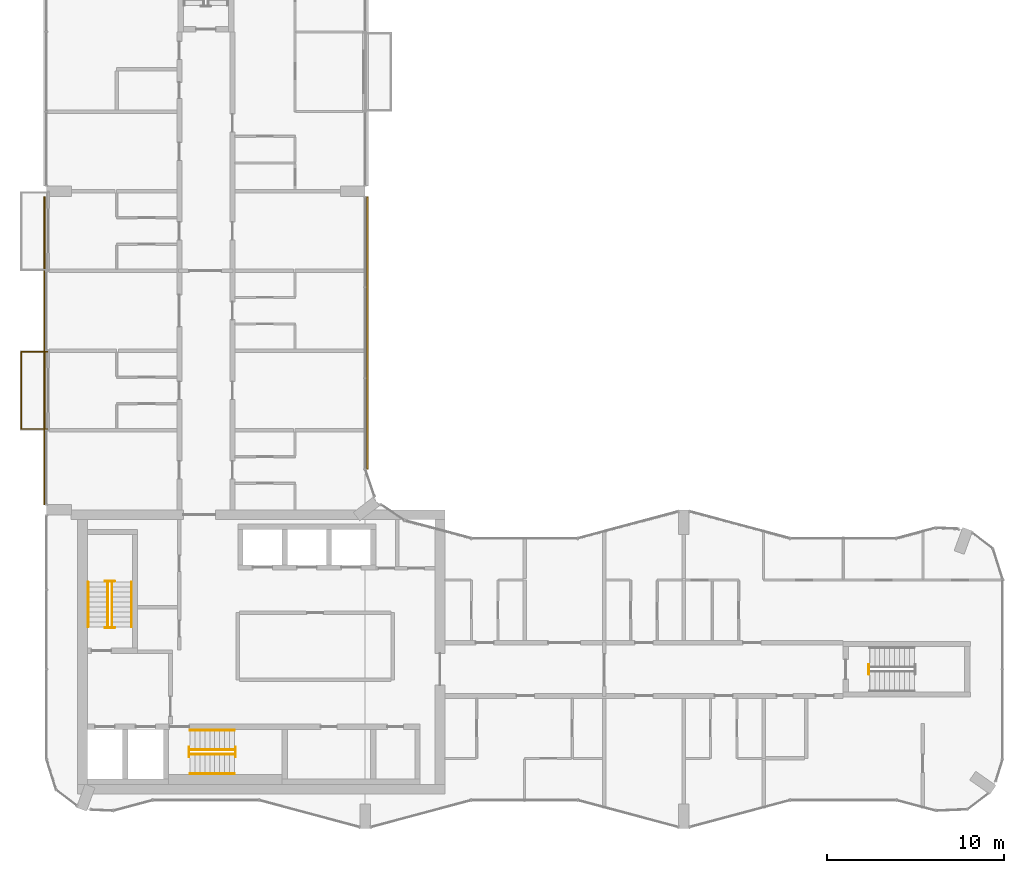
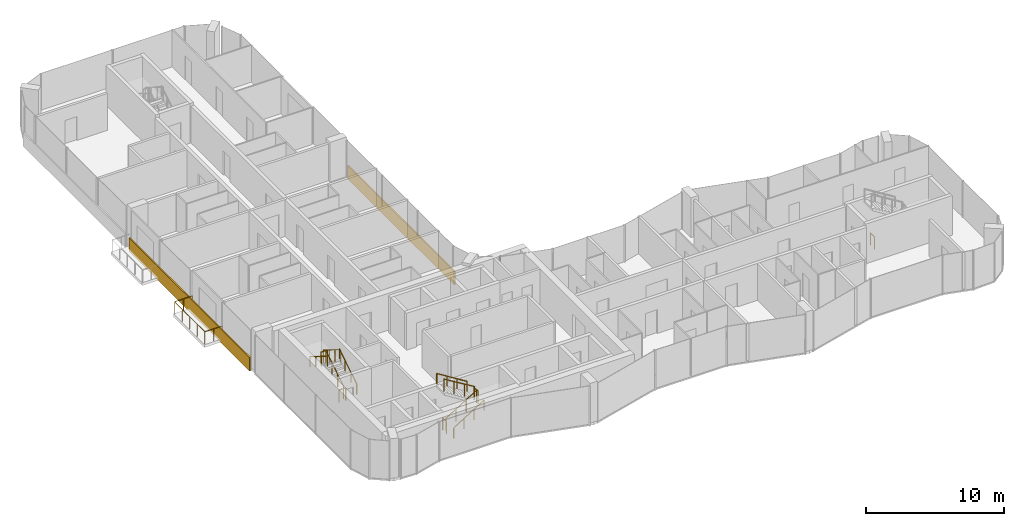
# One storey, part 14 of 16: 14 railings, 2 coverings.
"""IFC4 building model written with IfcOpenShell, lengths in metres."""

from ifc_helpers import new_model, si_unit, direction, frame, origin, origin_2d, place, context, subcontext, project, spatial, rectangle, circle, extrude, material, layer, layer_set, type_object, element, save


model = new_model("IFC4")

# Units and contexts
model_context = context("Model", 3, precision=1e-05, world=origin(), true_north=direction((0.0, 1.0)))
body_context = subcontext(model_context, "Body", "Model", "MODEL_VIEW")
ifc_project = project(units=[si_unit("LENGTHUNIT", "METRE"), si_unit("AREAUNIT", "SQUARE_METRE"), si_unit("VOLUMEUNIT", "CUBIC_METRE"), si_unit("PLANEANGLEUNIT", "RADIAN"), si_unit("MASSUNIT", "GRAM", prefix="KILO")], contexts=[model_context])

# Site, building, storey
site_placement = place(None, origin())
site = spatial("IfcSite", under=ifc_project, at=site_placement, CompositionType="ELEMENT")
building_placement = place(site_placement, origin())
building = spatial("IfcBuilding", under=site, at=building_placement, Name="Plateau Cross Towers", CompositionType="ELEMENT")
storey_placement = place(building_placement, frame((0.0, 0.0, 211.89990234375)))
storey = spatial("IfcBuildingStorey", under=building, at=storey_placement, Name="L55", CompositionType="ELEMENT", Elevation=211.89990234375)

# Railings
ifc_material_1 = material(Name="Stainless steel and toughened glass", Category="steel")
railing_type_1 = type_object("IfcRailingType", Name="Glass balustrade guard 1100", PredefinedType="GUARDRAIL", material=ifc_material_1)
railing_1_placement = place(storey_placement, frame((0.050048828125, 22.570068359375, 0.0)))
element("IfcRailing", 1, at=railing_1_placement, inside=storey, type_object=railing_type_1, Name="Guard guard1", PredefinedType="GUARDRAIL", context=body_context, shape_type="SweptSolid", body=[
    extrude(circle(Radius=0.02392578125, at=origin_2d()), frame((0.0, 0.0, 1.076171875), z_axis=(-1.0, 0.0, 0.0), x_axis=(0.0, -1.0, 0.0)), (0.0, 0.0, 1.0), 1.47998046875),
    extrude(circle(Radius=0.02392578125, at=origin_2d()), frame((-1.47998046875, 0.0, 1.076171875), z_axis=(0.0, 1.0, 0.0), x_axis=(-1.0, 0.0, 0.0)), (0.0, 0.0, 1.0), 4.35986328125),
    extrude(circle(Radius=0.02392578125, at=origin_2d()), frame((-1.47998046875, 4.35986328125, 1.076171875), z_axis=(1.0, 0.0, 0.0), x_axis=(0.0, 1.0, 0.0)), (0.0, 0.0, 1.0), 1.47998046875),
    extrude(circle(Radius=0.02099609375, at=origin_2d()), origin(), (0.0, 0.0, 1.0), 1.052001953125),
    extrude(circle(Radius=0.02099609375, at=origin_2d()), frame((-0.739990234375, 0.0, 0.0)), (0.0, 0.0, 1.0), 1.052001953125),
    extrude(circle(Radius=0.02099609375, at=origin_2d()), frame((-1.47998046875, 0.0, 0.0)), (0.0, 0.0, 1.0), 1.052001953125),
    extrude(circle(Radius=0.02099609375, at=origin_2d()), frame((-1.47998046875, 1.08984375, 0.0)), (0.0, 0.0, 1.0), 1.052001953125),
    extrude(circle(Radius=0.02099609375, at=origin_2d()), frame((-1.47998046875, 2.179931640625, 0.0)), (0.0, 0.0, 1.0), 1.052001953125),
    extrude(circle(Radius=0.02099609375, at=origin_2d()), frame((-1.47998046875, 3.27001953125, 0.0)), (0.0, 0.0, 1.0), 1.052001953125),
    extrude(circle(Radius=0.02099609375, at=origin_2d()), frame((-1.47998046875, 4.35986328125, 0.0)), (0.0, 0.0, 1.0), 1.052001953125),
    extrude(circle(Radius=0.02099609375, at=origin_2d()), frame((-0.739990234375, 4.35986328125, 0.0)), (0.0, 0.0, 1.0), 1.052001953125),
    extrude(circle(Radius=0.02099609375, at=origin_2d()), frame((0.0, 4.35986328125, 0.0)), (0.0, 0.0, 1.0), 1.052001953125),
])
railing_type_2 = type_object("IfcRailingType", Name="RL-GUARD-1100", PredefinedType="GUARDRAIL", material=ifc_material_1)
railing_2_placement = place(storey_placement, frame((3.699951171875, 11.39990234375, 0.175048828125)))
element("IfcRailing", 2, at=railing_2_placement, inside=storey, type_object=railing_type_2, Name="L55 ST-1 stair guard 1", PredefinedType="GUARDRAIL", context=body_context, shape_type="SweptSolid", body=[
    extrude(circle(Radius=0.02392578125, at=origin_2d()), frame((0.0, 0.0, 1.076171875), z_axis=(0.0, 0.848007534815, 0.529984170421), x_axis=(-1.0, 0.0, 0.0)), (0.0, 0.0, 1.0), 2.9716796875),
    extrude(circle(Radius=0.02099609375, at=origin_2d()), origin(), (0.0, 0.0, 1.0), 1.052001953125),
    extrude(circle(Radius=0.02099609375, at=origin_2d()), frame((0.0, 0.840087890625, 0.52490234375)), (0.0, 0.0, 1.0), 1.052001953125),
    extrude(circle(Radius=0.02099609375, at=origin_2d()), frame((0.0, 1.679931640625, 1.050048828125)), (0.0, 0.0, 1.0), 1.052001953125),
    extrude(circle(Radius=0.02099609375, at=origin_2d()), frame((0.0, 2.52001953125, 1.574951171875)), (0.0, 0.0, 1.0), 1.052001953125),
])
railing_3_placement = place(storey_placement, frame((3.85009765625, 13.969970703125, 1.75)))
element("IfcRailing", 3, at=railing_3_placement, inside=storey, type_object=railing_type_2, Name="L55 ST-1 stair guard 2", PredefinedType="GUARDRAIL", context=body_context, shape_type="SweptSolid", body=[
    extrude(circle(Radius=0.02392578125, at=origin_2d()), frame((0.0, 0.0, 1.076171875), z_axis=(-1.0, 0.0, 0.0), x_axis=(0.0, -1.0, 0.0)), (0.0, 0.0, 1.0), 0.550048828125),
    extrude(circle(Radius=0.02099609375, at=origin_2d()), origin(), (0.0, 0.0, 1.0), 1.052001953125),
    extrude(circle(Radius=0.02099609375, at=origin_2d()), frame((-0.550048828125, 0.0, 0.0)), (0.0, 0.0, 1.0), 1.052001953125),
])
railing_4_placement = place(storey_placement, frame((3.449951171875, 13.919921875, 1.925048828125)))
element("IfcRailing", 4, at=railing_4_placement, inside=storey, type_object=railing_type_2, Name="L55 ST-1 stair guard 3", PredefinedType="GUARDRAIL", context=body_context, shape_type="SweptSolid", body=[
    extrude(circle(Radius=0.02392578125, at=origin_2d()), frame((0.0, 0.0, 1.076171875), z_axis=(0.0, -0.852616386126, 0.522537365276), x_axis=(1.0, 0.0, 0.0)), (0.0, 0.0, 1.0), 3.01416015625),
    extrude(circle(Radius=0.02099609375, at=origin_2d()), origin(), (0.0, 0.0, 1.0), 1.052001953125),
    extrude(circle(Radius=0.02099609375, at=origin_2d()), frame((0.0, -0.856689453125, 0.52490234375)), (0.0, 0.0, 1.0), 1.052001953125),
    extrude(circle(Radius=0.02099609375, at=origin_2d()), frame((0.0, -1.713134765625, 1.050048828125)), (0.0, 0.0, 1.0), 1.052001953125),
    extrude(circle(Radius=0.02099609375, at=origin_2d()), frame((0.0, -2.56982421875, 1.574951171875)), (0.0, 0.0, 1.0), 1.052001953125),
])
railing_5_placement = place(storey_placement, frame((3.85009765625, 11.35009765625, 0.0)))
element("IfcRailing", 5, at=railing_5_placement, inside=storey, type_object=railing_type_2, Name="L55 ST-1 stair guard 4", PredefinedType="GUARDRAIL", context=body_context, shape_type="SweptSolid", body=[
    extrude(circle(Radius=0.02392578125, at=origin_2d()), frame((0.0, 0.0, 1.076171875), z_axis=(-1.0, 0.0, 0.0), x_axis=(0.0, -1.0, 0.0)), (0.0, 0.0, 1.0), 0.550048828125),
    extrude(circle(Radius=0.02099609375, at=origin_2d()), origin(), (0.0, 0.0, 1.0), 1.052001953125),
    extrude(circle(Radius=0.02099609375, at=origin_2d()), frame((-0.550048828125, 0.0, 0.0)), (0.0, 0.0, 1.0), 1.052001953125),
])
railing_6_placement = place(storey_placement, frame((8.10009765625, 4.199951171875, 0.175048828125)))
element("IfcRailing", 6, at=railing_6_placement, inside=storey, type_object=railing_type_2, Name="L55 ST-2 stair guard 1", PredefinedType="GUARDRAIL", context=body_context, shape_type="SweptSolid", body=[
    extrude(circle(Radius=0.02392578125, at=origin_2d()), frame((0.0, 0.0, 1.076171875), z_axis=(0.848007534815, 0.0, 0.529984170421), x_axis=(0.0, 1.0, 0.0)), (0.0, 0.0, 1.0), 2.9716796875),
    extrude(circle(Radius=0.02099609375, at=origin_2d()), origin(), (0.0, 0.0, 1.0), 1.052001953125),
    extrude(circle(Radius=0.02099609375, at=origin_2d()), frame((0.840087890625, 0.0, 0.52490234375)), (0.0, 0.0, 1.0), 1.052001953125),
    extrude(circle(Radius=0.02099609375, at=origin_2d()), frame((1.679931640625, 0.0, 1.050048828125)), (0.0, 0.0, 1.0), 1.052001953125),
    extrude(circle(Radius=0.02099609375, at=origin_2d()), frame((2.52001953125, 0.0, 1.574951171875)), (0.0, 0.0, 1.0), 1.052001953125),
])
railing_7_placement = place(storey_placement, frame((10.669921875, 4.050048828125, 1.75)))
element("IfcRailing", 7, at=railing_7_placement, inside=storey, type_object=railing_type_2, Name="L55 ST-2 stair guard 2", PredefinedType="GUARDRAIL", context=body_context, shape_type="SweptSolid", body=[
    extrude(circle(Radius=0.02392578125, at=origin_2d()), frame((0.0, 0.0, 1.076171875), z_axis=(0.0, 1.0, 0.0), x_axis=(-1.0, 0.0, 0.0)), (0.0, 0.0, 1.0), 0.550048828125),
    extrude(circle(Radius=0.02099609375, at=origin_2d()), origin(), (0.0, 0.0, 1.0), 1.052001953125),
    extrude(circle(Radius=0.02099609375, at=origin_2d()), frame((0.0, 0.550048828125, 0.0)), (0.0, 0.0, 1.0), 1.052001953125),
])
railing_8_placement = place(storey_placement, frame((10.6201171875, 4.449951171875, 1.925048828125)))
element("IfcRailing", 8, at=railing_8_placement, inside=storey, type_object=railing_type_2, Name="L55 ST-2 stair guard 3", PredefinedType="GUARDRAIL", context=body_context, shape_type="SweptSolid", body=[
    extrude(circle(Radius=0.02392578125, at=origin_2d()), frame((0.0, 0.0, 1.076171875), z_axis=(-0.852638500773, 0.0, 0.522501279423), x_axis=(0.0, -1.0, 0.0)), (0.0, 0.0, 1.0), 3.01416015625),
    extrude(circle(Radius=0.02099609375, at=origin_2d()), origin(), (0.0, 0.0, 1.0), 1.052001953125),
    extrude(circle(Radius=0.02099609375, at=origin_2d()), frame((-0.856689453125, 0.0, 0.52490234375)), (0.0, 0.0, 1.0), 1.052001953125),
    extrude(circle(Radius=0.02099609375, at=origin_2d()), frame((-1.71337890625, 0.0, 1.050048828125)), (0.0, 0.0, 1.0), 1.052001953125),
    extrude(circle(Radius=0.02099609375, at=origin_2d()), frame((-2.570068359375, 0.0, 1.574951171875)), (0.0, 0.0, 1.0), 1.052001953125),
])
railing_9_placement = place(storey_placement, frame((8.050048828125, 4.050048828125, 0.0)))
element("IfcRailing", 9, at=railing_9_placement, inside=storey, type_object=railing_type_2, Name="L55 ST-2 stair guard 4", PredefinedType="GUARDRAIL", context=body_context, shape_type="SweptSolid", body=[
    extrude(circle(Radius=0.02392578125, at=origin_2d()), frame((0.0, 0.0, 1.076171875), z_axis=(0.0, 1.0, 0.0), x_axis=(-1.0, 0.0, 0.0)), (0.0, 0.0, 1.0), 0.550048828125),
    extrude(circle(Radius=0.02099609375, at=origin_2d()), origin(), (0.0, 0.0, 1.0), 1.052001953125),
    extrude(circle(Radius=0.02099609375, at=origin_2d()), frame((0.0, 0.550048828125, 0.0)), (0.0, 0.0, 1.0), 1.052001953125),
])
railing_10_placement = place(storey_placement, frame((46.449951171875, 8.72509765625, 0.0)))
element("IfcRailing", 10, at=railing_10_placement, inside=storey, type_object=railing_type_2, Name="L55 ES-E stair guard 4", PredefinedType="GUARDRAIL", context=body_context, shape_type="SweptSolid", body=[
    extrude(circle(Radius=0.02392578125, at=origin_2d()), frame((0.0, 0.0, 1.076171875), z_axis=(0.0, 1.0, 0.0), x_axis=(-1.0, 0.0, 0.0)), (0.0, 0.0, 1.0), 0.5498046875),
    extrude(circle(Radius=0.02099609375, at=origin_2d()), origin(), (0.0, 0.0, 1.0), 1.052001953125),
    extrude(circle(Radius=0.02099609375, at=origin_2d()), frame((0.0, 0.5498046875, 0.0)), (0.0, 0.0, 1.0), 1.052001953125),
])
ifc_material_2 = material(Name="Black anodised aluminium", Category="aluminium")
railing_type_3 = type_object("IfcRailingType", Name="RL-HANDRAIL-900", PredefinedType="HANDRAIL", material=ifc_material_2)
railing_11_placement = place(storey_placement, frame((4.800048828125, 11.39990234375, 0.175048828125)))
element("IfcRailing", 11, at=railing_11_placement, inside=storey, type_object=railing_type_3, Name="L55 ST-1 stair handrail 1", PredefinedType="HANDRAIL", context=body_context, shape_type="SweptSolid", body=[
    extrude(circle(Radius=0.02392578125, at=origin_2d()), frame((0.0, 0.0, 0.8759765625), z_axis=(0.0, 0.848007534815, 0.529984170421), x_axis=(-1.0, 0.0, 0.0)), (0.0, 0.0, 1.0), 2.9716796875),
    extrude(circle(Radius=0.02099609375, at=origin_2d()), origin(), (0.0, 0.0, 1.0), 0.851806640625),
    extrude(circle(Radius=0.02099609375, at=origin_2d()), frame((0.0, 0.840087890625, 0.52490234375)), (0.0, 0.0, 1.0), 0.851806640625),
    extrude(circle(Radius=0.02099609375, at=origin_2d()), frame((0.0, 1.679931640625, 1.050048828125)), (0.0, 0.0, 1.0), 0.851806640625),
    extrude(circle(Radius=0.02099609375, at=origin_2d()), frame((0.0, 2.52001953125, 1.574951171875)), (0.0, 0.0, 1.0), 0.851806640625),
])
railing_12_placement = place(storey_placement, frame((2.35009765625, 13.919921875, 1.925048828125)))
element("IfcRailing", 12, at=railing_12_placement, inside=storey, type_object=railing_type_3, Name="L55 ST-1 stair handrail 2", PredefinedType="HANDRAIL", context=body_context, shape_type="SweptSolid", body=[
    extrude(circle(Radius=0.02392578125, at=origin_2d()), frame((0.0, 0.0, 0.8759765625), z_axis=(0.0, -0.848007534815, 0.529984170421), x_axis=(1.0, 0.0, 0.0)), (0.0, 0.0, 1.0), 2.9716796875),
    extrude(circle(Radius=0.02099609375, at=origin_2d()), origin(), (0.0, 0.0, 1.0), 0.851806640625),
    extrude(circle(Radius=0.02099609375, at=origin_2d()), frame((0.0, -0.840087890625, 0.52490234375)), (0.0, 0.0, 1.0), 0.851806640625),
    extrude(circle(Radius=0.02099609375, at=origin_2d()), frame((0.0, -1.679931640625, 1.050048828125)), (0.0, 0.0, 1.0), 0.851806640625),
    extrude(circle(Radius=0.02099609375, at=origin_2d()), frame((0.0, -2.52001953125, 1.574951171875)), (0.0, 0.0, 1.0), 0.851806640625),
])
railing_13_placement = place(storey_placement, frame((8.10009765625, 3.10009765625, 0.175048828125)))
element("IfcRailing", 13, at=railing_13_placement, inside=storey, type_object=railing_type_3, Name="L55 ST-2 stair handrail 1", PredefinedType="HANDRAIL", context=body_context, shape_type="SweptSolid", body=[
    extrude(circle(Radius=0.02392578125, at=origin_2d()), frame((0.0, 0.0, 0.8759765625), z_axis=(0.848007534815, 0.0, 0.529984170421), x_axis=(0.0, 1.0, 0.0)), (0.0, 0.0, 1.0), 2.9716796875),
    extrude(circle(Radius=0.02099609375, at=origin_2d()), origin(), (0.0, 0.0, 1.0), 0.851806640625),
    extrude(circle(Radius=0.02099609375, at=origin_2d()), frame((0.840087890625, 0.0, 0.52490234375)), (0.0, 0.0, 1.0), 0.851806640625),
    extrude(circle(Radius=0.02099609375, at=origin_2d()), frame((1.679931640625, 0.0, 1.050048828125)), (0.0, 0.0, 1.0), 0.851806640625),
    extrude(circle(Radius=0.02099609375, at=origin_2d()), frame((2.52001953125, 0.0, 1.574951171875)), (0.0, 0.0, 1.0), 0.851806640625),
])
railing_14_placement = place(storey_placement, frame((10.6201171875, 5.550048828125, 1.925048828125)))
element("IfcRailing", 14, at=railing_14_placement, inside=storey, type_object=railing_type_3, Name="L55 ST-2 stair handrail 2", PredefinedType="HANDRAIL", context=body_context, shape_type="SweptSolid", body=[
    extrude(circle(Radius=0.02392578125, at=origin_2d()), frame((0.0, 0.0, 0.8759765625), z_axis=(-0.848007534815, 0.0, 0.529984170421), x_axis=(0.0, -1.0, 0.0)), (0.0, 0.0, 1.0), 2.9716796875),
    extrude(circle(Radius=0.02099609375, at=origin_2d()), origin(), (0.0, 0.0, 1.0), 0.851806640625),
    extrude(circle(Radius=0.02099609375, at=origin_2d()), frame((-0.840087890625, 0.0, 0.52490234375)), (0.0, 0.0, 1.0), 0.851806640625),
    extrude(circle(Radius=0.02099609375, at=origin_2d()), frame((-1.679931640625, 0.0, 1.050048828125)), (0.0, 0.0, 1.0), 0.851806640625),
    extrude(circle(Radius=0.02099609375, at=origin_2d()), frame((-2.52001953125, 0.0, 1.574951171875)), (0.0, 0.0, 1.0), 0.851806640625),
])

# Coverings
ifc_material_3 = material(Name="Precast concrete cladding C40/50", Category="concrete")
ifc_layer = layer(ifc_material_3, 0.10009765625)
ifc_layer_set = layer_set([ifc_layer], Name="Precast concrete cladding C40/50")
covering_type = type_object("IfcCoveringType", Name="Spandrel band cladding 100x1200", PredefinedType="CLADDING", material=ifc_layer_set)
covering_1_placement = place(storey_placement, frame((18.1201171875, 28.001220703125, -0.25), z_axis=(0.0, 0.0, 1.0), x_axis=(0.0, 1.0, 0.0)))
element("IfcCovering", 15, at=covering_1_placement, inside=storey, type_object=covering_type, Name="Spandrel band", PredefinedType="CLADDING", context=body_context, shape_type="SweptSolid", body=[
    extrude(rectangle(XDim=15.397705078125, YDim=0.10009765625, at=origin_2d()), origin(), (0.0, 0.0, 1.0), 1.199951171875),
])
covering_2_placement = place(storey_placement, frame((-0.1201171875, 27.0, -0.25), z_axis=(0.0, 0.0, 1.0), x_axis=(0.0, -1.0, 0.0)))
element("IfcCovering", 16, at=covering_2_placement, inside=storey, type_object=covering_type, Name="Spandrel band", PredefinedType="CLADDING", context=body_context, shape_type="SweptSolid", body=[
    extrude(rectangle(XDim=17.39990234375, YDim=0.10009765625, at=origin_2d()), origin(), (0.0, 0.0, 1.0), 1.199951171875),
])

save(model, "model.ifc")
